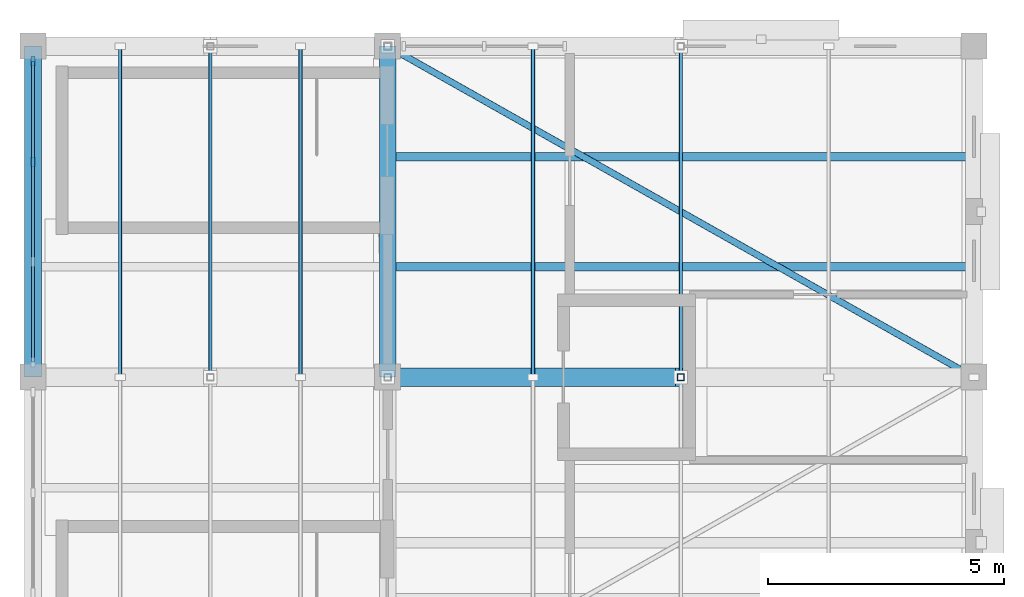
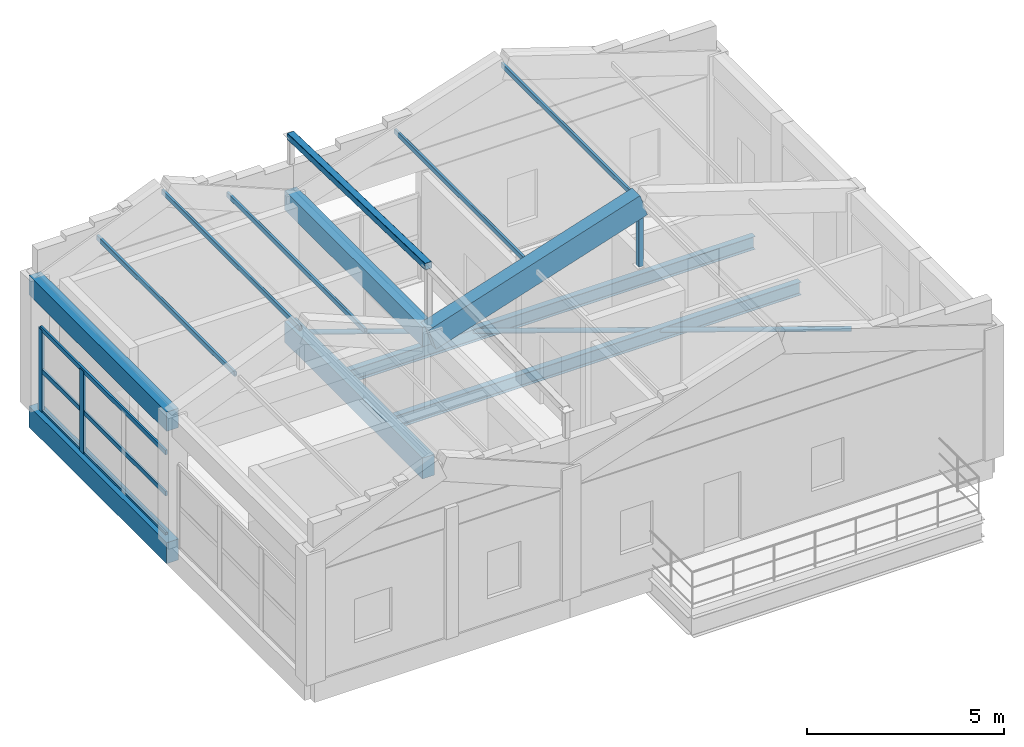
# One storey, part 3 of 8: 14 members, 6 beams, 1 element without a shape of its own.
"""IFC4 building model written with IfcOpenShell, lengths in metres."""

from ifc_helpers import new_model, si_unit, direction, frame, origin, origin_2d, place, context, subcontext, project, spatial, rectangle, hollow_rectangle, hollow_circle, i_section, extrude, material, layer, layer_set, material_profile, profile_set, type_object, element, aggregate, save


model = new_model("IFC4")

# Units and contexts
model_context = context("Model", 3, precision=1e-05, world=origin(), true_north=direction((0.0, 1.0)))
body_context = subcontext(model_context, "Body", "Model", "MODEL_VIEW")
ifc_project = project(units=[si_unit("LENGTHUNIT", "METRE"), si_unit("AREAUNIT", "SQUARE_METRE"), si_unit("VOLUMEUNIT", "CUBIC_METRE"), si_unit("PLANEANGLEUNIT", "RADIAN"), si_unit("MASSUNIT", "GRAM", prefix="KILO")], contexts=[model_context])

# Site, building, storey
site_placement = place(None, origin())
site = spatial("IfcSite", under=ifc_project, at=site_placement, CompositionType="ELEMENT")
building_placement = place(site_placement, origin())
building = spatial("IfcBuilding", under=site, at=building_placement, Name="Trellovar Central Fire Station", CompositionType="ELEMENT")
storey_placement = place(building_placement, frame((0.0, 0.0, 22.050048828125)))
storey = spatial("IfcBuildingStorey", under=building, at=storey_placement, Name="L06", CompositionType="ELEMENT", Elevation=22.050048828125)

# Beams
ifc_material_1 = material(Name="Concrete C40/50", Category="concrete")
ifc_material_profile_1 = material_profile(ifc_material_1, rectangle(XDim=0.35009765625, YDim=0.64990234375, at=origin_2d()), Name="RC350X650")
ifc_profile_set_1 = profile_set([ifc_material_profile_1], Name="Concrete C40/50")
beam_type_1 = type_object("IfcBeamType", Name="BM-G5", PredefinedType="BEAM", material=ifc_profile_set_1)
for number, where, z_axis, x_axis, name in (
    (1, (141.10009765625, 66.0, -0.324951171875), (0.0, 1.0, 0.0), (-1.0, 0.0, 0.0), "L06 beam G-5"),
    (2, (148.60009765625, 66.0, -0.324951171875), (0.0, 1.0, 0.0), (-1.0, 0.0, 0.0), "L06 beam G-5"),
):
    element("IfcBeam", number, at=place(storey_placement, frame(where, z_axis=z_axis, x_axis=x_axis)), inside=storey, type_object=beam_type_1, Name=name, PredefinedType="BEAM", context=body_context, shape_type="SweptSolid", body=[
        extrude(rectangle(XDim=0.35009765625, YDim=0.64990234375, at=origin_2d()), origin(), (0.0, 0.0, 1.0), 7.0),
    ])
ifc_material_2 = material(Name="Concrete C40/50", Category="concrete")
ifc_material_profile_2 = material_profile(ifc_material_2, rectangle(XDim=0.35009765625, YDim=0.60009765625, at=origin_2d()), Name="RC350X600")
ifc_profile_set_2 = profile_set([ifc_material_profile_2], Name="Concrete C40/50")
beam_type_2 = type_object("IfcBeamType", Name="BM-G6", PredefinedType="BEAM", material=ifc_profile_set_2)
for number, where, z_axis, x_axis, name in (
    (3, (141.10009765625, 66.0, 3.75), (0.0, 1.0, 0.0), (-1.0, 0.0, 0.0), "L06 beam G-6"),
    (4, (148.60009765625, 66.0, 3.75), (0.0, 1.0, 0.0), (-1.0, 0.0, 0.0), "L06 beam G-6"),
):
    element("IfcBeam", number, at=place(storey_placement, frame(where, z_axis=z_axis, x_axis=x_axis)), inside=storey, type_object=beam_type_2, Name=name, PredefinedType="BEAM", context=body_context, shape_type="SweptSolid", body=[
        extrude(rectangle(XDim=0.35009765625, YDim=0.60009765625, at=origin_2d()), origin(), (0.0, 0.0, 1.0), 7.0),
    ])
ifc_material_3 = material(Name="Steel ASTM A992 Grade 50", Category="steel")
ifc_material_profile_3 = material_profile(ifc_material_3, i_section(OverallWidth=0.177490234375, OverallDepth=0.40380859375, WebThickness=0.007568359375, FlangeThickness=0.010986328125, FilletRadius=0.011474609375, at=origin_2d()), Name="W16X36")
ifc_profile_set_3 = profile_set([ifc_material_profile_3], Name="Steel ASTM A992 Grade 50")
beam_type_3 = type_object("IfcBeamType", Name="BM-SW11", PredefinedType="JOIST", material=ifc_profile_set_3)
for number, where, z_axis, x_axis, name in (
    (5, (148.77001953125, 68.333251953125, -0.44189453125), (1.0, 0.0, 0.0), (0.0, 1.0, 0.0), "L06 beam SB-11"),
    (6, (148.77001953125, 70.666748046875, -0.44189453125), (1.0, 0.0, 0.0), (0.0, 1.0, 0.0), "L06 beam SB-11"),
):
    element("IfcBeam", number, at=place(storey_placement, frame(where, z_axis=z_axis, x_axis=x_axis)), inside=storey, type_object=beam_type_3, Name=name, PredefinedType="JOIST", context=body_context, shape_type="SweptSolid", body=[
        extrude(i_section(OverallWidth=0.177490234375, OverallDepth=0.40380859375, WebThickness=0.007568359375, FlangeThickness=0.010986328125, FilletRadius=0.011474609375, at=origin_2d()), origin(), (0.0, 0.0, 1.0), 12.06005859375),
    ])

# Curtain wall, members
ifc_material_4 = material(Name="Thermally broken bronze anodized aluminum", Category="aluminium")
ifc_layer = layer(ifc_material_4, 0.159912109375)
ifc_layer_set = layer_set([ifc_layer], Name="Thermally broken bronze anodized aluminum")
curtain_wall_type = type_object("IfcCurtainWallType", Name="CW-09", PredefinedType="NOTDEFINED", material=ifc_layer_set)
curtain_wall_placement = place(storey_placement, origin())
curtain_wall = element("IfcCurtainWall", 7, at=curtain_wall_placement, inside=storey, type_object=curtain_wall_type, Name="V2 L06 west drill yard curtain wall", PredefinedType="NOTDEFINED")
ifc_material_5 = material(Name="Thermally broken bronze anodized aluminum", Category="aluminium")
ifc_material_profile_4 = material_profile(ifc_material_5, rectangle(XDim=0.074951171875, YDim=0.199951171875, at=origin_2d()), Name="ALU75X200")
ifc_profile_set_4 = profile_set([ifc_material_profile_4], Name="Thermally broken bronze anodized aluminum")
member_type_1 = type_object("IfcMemberType", Name="CWM-1", PredefinedType="MULLION", material=ifc_profile_set_4)
member_1_placement = place(storey_placement, frame((141.10009765625, 70.56005859375, 0.0), z_axis=(0.0, 0.0, 1.0), x_axis=(1.0, 0.0, 0.0)))
member_1 = element("IfcMember", 8, at=member_1_placement, type_object=member_type_1, Name="CW3-L06-0170 mullion 3", PredefinedType="MULLION", context=body_context, shape_type="SweptSolid", body=[
    extrude(rectangle(XDim=0.074951171875, YDim=0.199951171875, at=origin_2d()), origin(), (0.0, 0.0, 1.0), 2.550048828125),
])
member_2_placement = place(storey_placement, frame((141.10009765625, 72.679931640625, 0.0), z_axis=(0.0, 0.0, 1.0), x_axis=(1.0, 0.0, 0.0)))
member_2 = element("IfcMember", 9, at=member_2_placement, type_object=member_type_1, Name="CW3-L06-0170 mullion 4", PredefinedType="MULLION", context=body_context, shape_type="SweptSolid", body=[
    extrude(rectangle(XDim=0.074951171875, YDim=0.199951171875, at=origin_2d()), origin(), (0.0, 0.0, 1.0), 2.550048828125),
])
ifc_material_6 = material(Name="Thermally broken bronze anodized aluminum", Category="aluminium")
ifc_material_profile_5 = material_profile(ifc_material_6, rectangle(XDim=0.06005859375, YDim=0.139892578125, at=origin_2d()), Name="ALU60X140")
ifc_profile_set_5 = profile_set([ifc_material_profile_5], Name="Thermally broken bronze anodized aluminum")
member_type_2 = type_object("IfcMemberType", Name="CWT-1", PredefinedType="USERDEFINED", material=ifc_profile_set_5)
member_3_placement = place(storey_placement, frame((141.10009765625, 66.320068359375, 0.0), z_axis=(0.0, 1.0, 0.0), x_axis=(-1.0, 0.0, 0.0)))
member_3 = element("IfcMember", 10, at=member_3_placement, type_object=member_type_2, Name="CW3-L06-0170 transom 1", ObjectType="TRANSOM", PredefinedType="USERDEFINED", context=body_context, shape_type="SweptSolid", body=[
    extrude(rectangle(XDim=0.06005859375, YDim=0.139892578125, at=origin_2d()), origin(), (0.0, 0.0, 1.0), 6.35986328125),
])
member_4_placement = place(storey_placement, frame((141.10009765625, 66.320068359375, 1.27490234375), z_axis=(0.0, 1.0, 0.0), x_axis=(-1.0, 0.0, 0.0)))
member_4 = element("IfcMember", 11, at=member_4_placement, type_object=member_type_2, Name="CW3-L06-0170 transom 2", ObjectType="TRANSOM", PredefinedType="USERDEFINED", context=body_context, shape_type="SweptSolid", body=[
    extrude(rectangle(XDim=0.06005859375, YDim=0.139892578125, at=origin_2d()), origin(), (0.0, 0.0, 1.0), 6.35986328125),
])
member_5_placement = place(storey_placement, frame((141.10009765625, 66.320068359375, 2.550048828125), z_axis=(0.0, 1.0, 0.0), x_axis=(-1.0, 0.0, 0.0)))
member_5 = element("IfcMember", 12, at=member_5_placement, type_object=member_type_2, Name="CW3-L06-0170 transom 3", ObjectType="TRANSOM", PredefinedType="USERDEFINED", context=body_context, shape_type="SweptSolid", body=[
    extrude(rectangle(XDim=0.06005859375, YDim=0.139892578125, at=origin_2d()), origin(), (0.0, 0.0, 1.0), 6.35986328125),
])
aggregate(curtain_wall, [member_1, member_2, member_3, member_4, member_5])

# Members
ifc_material_7 = material(Name="Steel ASTM A500 Grade C", Category="steel")
ifc_material_profile_6 = material_profile(ifc_material_7, hollow_rectangle(XDim=0.203125, YDim=0.203125, WallThickness=0.0087890625, InnerFilletRadius=0.0087890625, OuterFilletRadius=0.017822265625, at=origin_2d()), Name="HSS8X8X3/8")
ifc_profile_set_6 = profile_set([ifc_material_profile_6], Name="Steel ASTM A500 Grade C")
member_type_3 = type_object("IfcMemberType", Name="MEM-CH1", PredefinedType="CHORD", material=ifc_profile_set_6)
member_6_placement = place(storey_placement, frame((148.60009765625, 66.0, 5.89990234375), z_axis=(0.0, 0.999592285491, -0.028552806983), x_axis=(-1.0, 0.0, 0.0)))
element("IfcMember", 13, at=member_6_placement, inside=storey, type_object=member_type_3, Name="V2 Catalan crown north ridge chord CH-1", PredefinedType="CHORD", context=body_context, shape_type="SweptSolid", body=[
    extrude(hollow_rectangle(XDim=0.203125, YDim=0.203125, WallThickness=0.0087890625, InnerFilletRadius=0.0087890625, OuterFilletRadius=0.017822265625, at=origin_2d()), origin(), (0.0, 0.0, 1.0), 7.0029296875),
])
ifc_material_8 = material(Name="Concrete C40/50", Category="concrete")
ifc_material_profile_7 = material_profile(ifc_material_8, rectangle(XDim=0.39990234375, YDim=0.699951171875, at=origin_2d()), Name="RC400X700")
ifc_profile_set_7 = profile_set([ifc_material_profile_7], Name="Concrete C40/50")
member_type_4 = type_object("IfcMemberType", Name="MEM-LR1", PredefinedType="CHORD", material=ifc_profile_set_7)
member_7_placement = place(storey_placement, frame((148.60009765625, 66.0, 3.72998046875), z_axis=(0.951707911327, 0.0, 0.30700496986), x_axis=(0.0, 1.0, 0.0)))
element("IfcMember", 14, at=member_7_placement, inside=storey, type_object=member_type_4, Name="V2E Catalan vault rib 1 chord 1", PredefinedType="CHORD", context=body_context, shape_type="SweptSolid", body=[
    extrude(rectangle(XDim=0.39990234375, YDim=0.699951171875, at=origin_2d()), origin(), (0.0, 0.0, 1.0), 6.5146484375),
])
ifc_material_9 = material(Name="Steel ASTM A500 Grade C", Category="steel")
ifc_material_profile_8 = material_profile(ifc_material_9, hollow_rectangle(XDim=0.076171875, YDim=0.15234375, WallThickness=0.005859375, InnerFilletRadius=0.005859375, OuterFilletRadius=0.01171875, at=origin_2d()), Name="HSS6X3X1/4")
ifc_profile_set_8 = profile_set([ifc_material_profile_8], Name="Steel ASTM A500 Grade C")
member_type_5 = type_object("IfcMemberType", Name="MEM-PU2", PredefinedType="PURLIN", material=ifc_profile_set_8)
for number, where, z_axis, x_axis, name in (
    (15, (144.85009765625, 66.0, 5.280029296875), (0.0, 1.0, 0.0), (-1.0, 0.0, 0.0), "V2W vault ridge purlin 1"),
    (16, (142.9423828125, 66.0, 4.531494140625), (0.0, 1.0, 0.0), (-1.0, 0.0, 0.0), "V2W vault purlin 1-1"),
    (17, (146.757568359375, 66.0, 4.531494140625), (0.0, 1.0, 0.0), (-1.0, 0.0, 0.0), "V2W vault purlin 1-2"),
    (18, (154.800048828125, 66.0, 5.72998046875), (0.0, 1.0, 0.0), (-1.0, 0.0, 0.0), "V2E vault ridge purlin 1"),
    (19, (151.673828125, 66.0, 4.761474609375), (0.0, 1.0, 0.0), (-1.0, 0.0, 0.0), "V2E vault purlin 1-1"),
):
    element("IfcMember", number, at=place(storey_placement, frame(where, z_axis=z_axis, x_axis=x_axis)), inside=storey, type_object=member_type_5, Name=name, PredefinedType="PURLIN", context=body_context, shape_type="SweptSolid", body=[
        extrude(hollow_rectangle(XDim=0.076171875, YDim=0.15234375, WallThickness=0.005859375, InnerFilletRadius=0.005859375, OuterFilletRadius=0.01171875, at=origin_2d()), origin(), (0.0, 0.0, 1.0), 7.0),
    ])
ifc_material_10 = material(Name="Steel ASTM A500 Grade C", Category="steel")
ifc_material_profile_9 = material_profile(ifc_material_10, hollow_rectangle(XDim=0.15234375, YDim=0.15234375, WallThickness=0.0087890625, InnerFilletRadius=0.0087890625, OuterFilletRadius=0.017822265625, at=origin_2d()), Name="HSS6X6X3/8")
ifc_profile_set_9 = profile_set([ifc_material_profile_9], Name="Steel ASTM A500 Grade C")
member_type_6 = type_object("IfcMemberType", Name="MEM-ST1", PredefinedType="STRUT", material=ifc_profile_set_9)
member_8_placement = place(storey_placement, frame((154.800048828125, 66.0, 3.75), z_axis=(0.0, 0.0, 1.0), x_axis=(1.0, 0.0, 0.0)))
element("IfcMember", 20, at=member_8_placement, inside=storey, type_object=member_type_6, Name="V2E Catalan vault apex post 1", PredefinedType="STRUT", context=body_context, shape_type="SweptSolid", body=[
    extrude(hollow_rectangle(XDim=0.15234375, YDim=0.15234375, WallThickness=0.0087890625, InnerFilletRadius=0.0087890625, OuterFilletRadius=0.017822265625, at=origin_2d()), origin(), (0.0, 0.0, 1.0), 1.97998046875),
])
ifc_material_11 = material(Name="Steel ASTM A500 Grade C", Category="steel")
ifc_material_profile_10 = material_profile(ifc_material_11, hollow_circle(Radius=0.070556640625, WallThickness=0.006103515625, at=origin_2d()), Name="HSS5.563X0.258")
ifc_profile_set_10 = profile_set([ifc_material_profile_10], Name="Steel ASTM A500 Grade C")
member_type_7 = type_object("IfcMemberType", Name="MEM-ST4", PredefinedType="STRUT", material=ifc_profile_set_10)
member_9_placement = place(storey_placement, frame((148.60009765625, 73.0, -0.39013671875), z_axis=(0.870822651699, -0.491597303987, 0.0), x_axis=(0.491597303987, 0.870822651699, 0.0)))
element("IfcMember", 21, at=member_9_placement, inside=storey, type_object=member_type_7, Name="V2 L06 deck round HSS strut", PredefinedType="STRUT", context=body_context, shape_type="SweptSolid", body=[
    extrude(hollow_circle(Radius=0.070556640625, WallThickness=0.006103515625, at=origin_2d()), origin(), (0.0, 0.0, 1.0), 14.2392578125),
])

save(model, "model.ifc")
